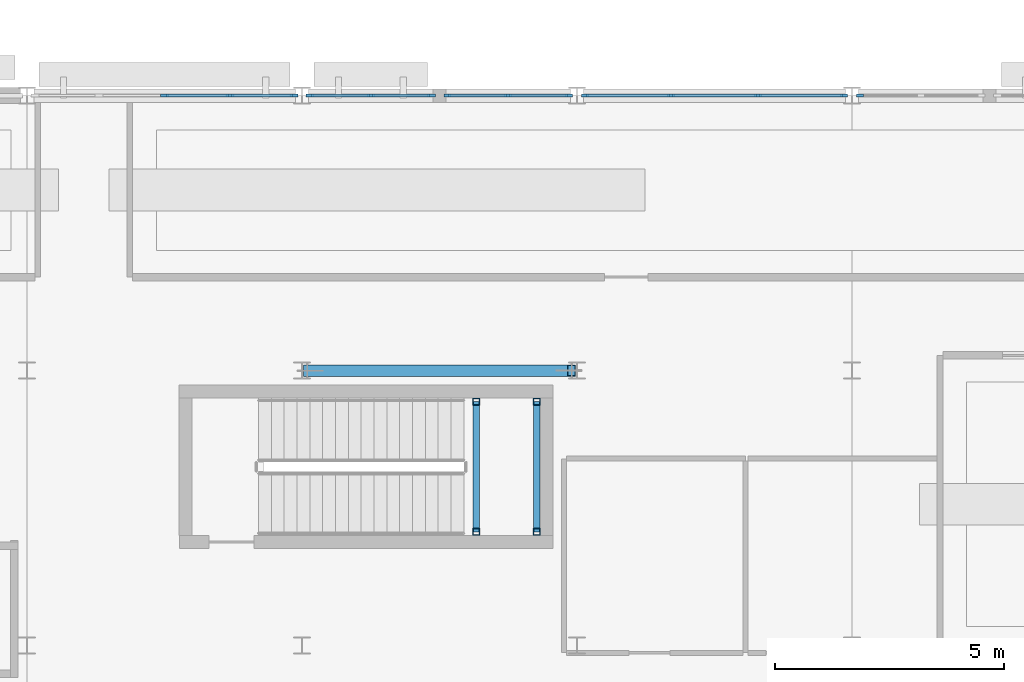
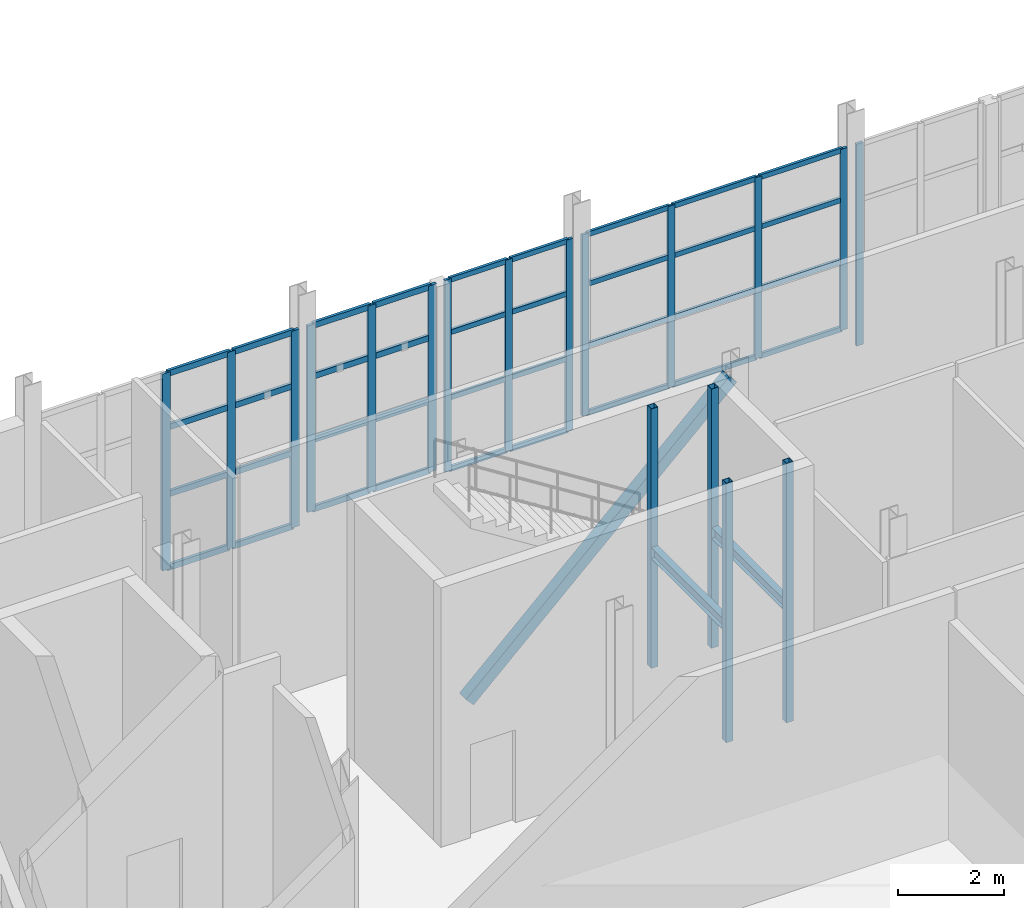
# One storey, part 64 of 120: 55 members, 2 beams, 5 elements without a shape of their own.
"""IFC4 building model written with IfcOpenShell, lengths in metres."""

from ifc_helpers import new_model, si_unit, direction, frame, origin, origin_2d, place, context, subcontext, project, spatial, rectangle, hollow_rectangle, i_section, extrude, material, material_profile, profile_set, type_object, element, aggregate, save


model = new_model("IFC4")

# Units and contexts
model_context = context("Model", 3, precision=1e-05, world=origin(), true_north=direction((0.0, 1.0)))
body_context = subcontext(model_context, "Body", "Model", "MODEL_VIEW")
ifc_project = project(units=[si_unit("LENGTHUNIT", "METRE"), si_unit("AREAUNIT", "SQUARE_METRE"), si_unit("VOLUMEUNIT", "CUBIC_METRE"), si_unit("PLANEANGLEUNIT", "RADIAN"), si_unit("MASSUNIT", "GRAM", prefix="KILO")], contexts=[model_context])

# Site, building, storey
site_placement = place(None, origin())
site = spatial("IfcSite", under=ifc_project, at=site_placement, CompositionType="ELEMENT")
building_placement = place(site_placement, origin())
building = spatial("IfcBuilding", under=site, at=building_placement, Name="Siltcreek Boulevard Central Fire Station", CompositionType="ELEMENT")
storey_placement = place(building_placement, origin())
storey = spatial("IfcBuildingStorey", under=building, at=storey_placement, Name="L01", CompositionType="ELEMENT", Elevation=0.0)

# Members
ifc_material_1 = material(Name="Structural steel ASTM A500 GrC", Category="steel")
ifc_material_profile_1 = material_profile(ifc_material_1, hollow_rectangle(XDim=0.14990234375, YDim=0.14990234375, WallThickness=0.008056640625, at=origin_2d()), Name="HSS150X150X8.0")
ifc_profile_set_1 = profile_set([ifc_material_profile_1], Name="Structural steel ASTM A500 GrC")
member_type_1 = type_object("IfcMemberType", Name="BR_HSS150_8", PredefinedType="BRACE", material=ifc_profile_set_1)
for number, where, z_axis, x_axis, name in (
    (1, (152.0, 102.679931640625, 0.0), (0.0, 0.0, 1.0), (1.0, 0.0, 0.0), "L01 ST-V5B stair landing corner post SW"),
    (2, (152.0, 105.52001953125, 0.0), (0.0, 0.0, 1.0), (1.0, 0.0, 0.0), "L01 ST-V5B stair landing corner post NW"),
    (3, (153.320068359375, 102.679931640625, 0.0), (0.0, 0.0, 1.0), (1.0, 0.0, 0.0), "L01 ST-V5B stair landing corner post SE"),
    (4, (153.320068359375, 105.52001953125, 0.0), (0.0, 0.0, 1.0), (1.0, 0.0, 0.0), "L01 ST-V5B stair landing corner post NE"),
):
    element("IfcMember", number, at=place(storey_placement, frame(where, z_axis=z_axis, x_axis=x_axis)), inside=storey, type_object=member_type_1, Name=name, PredefinedType="BRACE", context=body_context, shape_type="SweptSolid", body=[
        extrude(hollow_rectangle(XDim=0.14990234375, YDim=0.14990234375, WallThickness=0.008056640625, at=origin_2d()), origin(), (0.0, 0.0, 1.0), 6.0),
    ])
ifc_material_profile_2 = material_profile(ifc_material_1, hollow_rectangle(XDim=0.25, YDim=0.25, WallThickness=0.012451171875, at=origin_2d()), Name="HSS250X250X12.5")
ifc_profile_set_2 = profile_set([ifc_material_profile_2], Name="Structural steel ASTM A500 GrC")
member_type_2 = type_object("IfcMemberType", Name="BR_HSS250_12", PredefinedType="BRACE", material=ifc_profile_set_2)
member_1_placement = place(storey_placement, frame((148.320068359375, 106.199951171875, 0.10009765625), z_axis=(0.726386990368, 0.0, 0.687285923197), x_axis=(0.0, 1.0, 0.0)))
element("IfcMember", 5, at=member_1_placement, inside=storey, type_object=member_type_2, Name="L01 buckling-restrained brace BR-026", PredefinedType="BRACE", context=body_context, shape_type="SweptSolid", body=[
    extrude(hollow_rectangle(XDim=0.25, YDim=0.25, WallThickness=0.012451171875, at=origin_2d()), origin(), (0.0, 0.0, 1.0), 7.9296875),
])

# Curtain wall, members
ifc_material_2 = material(Name="Anodized aluminum and low-E insulated glazing", Category="aluminium")
curtain_wall_type_1 = type_object("IfcCurtainWallType", Name="CW_SYS_22", PredefinedType="USERDEFINED", material=ifc_material_2)
curtain_wall_1_placement = place(storey_placement, origin())
curtain_wall_1 = element("IfcCurtainWall", 6, at=curtain_wall_1_placement, inside=storey, type_object=curtain_wall_type_1, Name="L01 V5 unitised curtain wall CW-111", ObjectType="CURTAIN WALL", PredefinedType="USERDEFINED")
ifc_material_3 = material(Name="Anodized 6063-T6 aluminum framing", Category="aluminium")
ifc_material_profile_3 = material_profile(ifc_material_3, rectangle(XDim=0.06005859375, YDim=0.14990234375, at=origin_2d()), Name="MULL60X150")
ifc_profile_set_3 = profile_set([ifc_material_profile_3], Name="Anodized 6063-T6 aluminum framing")
member_type_3 = type_object("IfcMemberType", Name="CWM_60X150", PredefinedType="MULLION", material=ifc_profile_set_3)
member_2_placement = place(storey_placement, frame((154.02490234375, 112.199951171875, 0.679931640625), z_axis=(0.0, 0.0, 1.0), x_axis=(0.0, -1.0, 0.0)))
member_2 = element("IfcMember", 7, at=member_2_placement, type_object=member_type_3, Name="CW-111 mullion 1", PredefinedType="MULLION", context=body_context, shape_type="SweptSolid", body=[
    extrude(rectangle(XDim=0.06005859375, YDim=0.14990234375, at=origin_2d()), origin(), (0.0, 0.0, 1.0), 4.43310546875),
])
member_3_placement = place(storey_placement, frame((152.697509765625, 112.199951171875, 0.679931640625), z_axis=(0.0, 0.0, 1.0), x_axis=(0.0, -1.0, 0.0)))
member_3 = element("IfcMember", 8, at=member_3_placement, type_object=member_type_3, Name="CW-111 mullion 2", PredefinedType="MULLION", context=body_context, shape_type="SweptSolid", body=[
    extrude(rectangle(XDim=0.06005859375, YDim=0.14990234375, at=origin_2d()), origin(), (0.0, 0.0, 1.0), 4.43310546875),
])
member_4_placement = place(storey_placement, frame((151.3701171875, 112.199951171875, 0.679931640625), z_axis=(0.0, 0.0, 1.0), x_axis=(0.0, -1.0, 0.0)))
member_4 = element("IfcMember", 9, at=member_4_placement, type_object=member_type_3, Name="CW-111 mullion 3", PredefinedType="MULLION", context=body_context, shape_type="SweptSolid", body=[
    extrude(rectangle(XDim=0.06005859375, YDim=0.14990234375, at=origin_2d()), origin(), (0.0, 0.0, 1.0), 4.43310546875),
])

curtain_wall_type_2 = type_object("IfcCurtainWallType", Name="CW_SYS_24", PredefinedType="USERDEFINED", material=ifc_material_2)
curtain_wall_2_placement = place(storey_placement, origin())
curtain_wall_2 = element("IfcCurtainWall", 10, at=curtain_wall_2_placement, inside=storey, type_object=curtain_wall_type_2, Name="L01 V5 unitised curtain wall CW-113", ObjectType="CURTAIN WALL", PredefinedType="USERDEFINED")
member_5_placement = place(storey_placement, frame((160.02490234375, 112.199951171875, 0.919921875), z_axis=(0.0, 0.0, 1.0), x_axis=(0.0, -1.0, 0.0)))
member_5 = element("IfcMember", 11, at=member_5_placement, type_object=member_type_3, Name="CW-113 mullion 1", PredefinedType="MULLION", context=body_context, shape_type="SweptSolid", body=[
    extrude(rectangle(XDim=0.06005859375, YDim=0.14990234375, at=origin_2d()), origin(), (0.0, 0.0, 1.0), 4.193115234375),
])
member_6_placement = place(storey_placement, frame((158.151611328125, 112.199951171875, 0.919921875), z_axis=(0.0, 0.0, 1.0), x_axis=(0.0, -1.0, 0.0)))
member_6 = element("IfcMember", 12, at=member_6_placement, type_object=member_type_3, Name="CW-113 mullion 2", PredefinedType="MULLION", context=body_context, shape_type="SweptSolid", body=[
    extrude(rectangle(XDim=0.06005859375, YDim=0.14990234375, at=origin_2d()), origin(), (0.0, 0.0, 1.0), 4.193115234375),
])
member_7_placement = place(storey_placement, frame((156.248291015625, 112.199951171875, 0.919921875), z_axis=(0.0, 0.0, 1.0), x_axis=(0.0, -1.0, 0.0)))
member_7 = element("IfcMember", 13, at=member_7_placement, type_object=member_type_3, Name="CW-113 mullion 3", PredefinedType="MULLION", context=body_context, shape_type="SweptSolid", body=[
    extrude(rectangle(XDim=0.06005859375, YDim=0.14990234375, at=origin_2d()), origin(), (0.0, 0.0, 1.0), 4.193115234375),
])
member_8_placement = place(storey_placement, frame((154.375, 112.199951171875, 0.919921875), z_axis=(0.0, 0.0, 1.0), x_axis=(0.0, -1.0, 0.0)))
member_8 = element("IfcMember", 14, at=member_8_placement, type_object=member_type_3, Name="CW-113 mullion 4", PredefinedType="MULLION", context=body_context, shape_type="SweptSolid", body=[
    extrude(rectangle(XDim=0.06005859375, YDim=0.14990234375, at=origin_2d()), origin(), (0.0, 0.0, 1.0), 4.193115234375),
])

# Curtain wall, member
curtain_wall_type_3 = type_object("IfcCurtainWallType", Name="CW_SYS_26", PredefinedType="USERDEFINED", material=ifc_material_2)
curtain_wall_3_placement = place(storey_placement, origin())
curtain_wall_3 = element("IfcCurtainWall", 15, at=curtain_wall_3_placement, inside=storey, type_object=curtain_wall_type_3, Name="L01 V5 unitised curtain wall CW-115", ObjectType="CURTAIN WALL", PredefinedType="USERDEFINED")
member_9_placement = place(storey_placement, frame((160.375, 112.199951171875, 0.43994140625), z_axis=(0.0, 0.0, 1.0), x_axis=(0.0, -1.0, 0.0)))
member_9 = element("IfcMember", 16, at=member_9_placement, type_object=member_type_3, Name="CW-115 mullion 3", PredefinedType="MULLION", context=body_context, shape_type="SweptSolid", body=[
    extrude(rectangle(XDim=0.06005859375, YDim=0.14990234375, at=origin_2d()), origin(), (0.0, 0.0, 1.0), 4.673095703125),
])
aggregate(curtain_wall_3, [member_9])

# Curtain wall, members
curtain_wall_type_4 = type_object("IfcCurtainWallType", Name="CW_SYS_21", PredefinedType="USERDEFINED", material=ifc_material_2)
curtain_wall_4_placement = place(storey_placement, origin())
curtain_wall_4 = element("IfcCurtainWall", 17, at=curtain_wall_4_placement, inside=storey, type_object=curtain_wall_type_4, Name="L01 V5 unitised curtain wall CW-110", ObjectType="CURTAIN WALL", PredefinedType="USERDEFINED")
ifc_material_profile_4 = material_profile(ifc_material_3, rectangle(XDim=0.06494140625, YDim=0.175048828125, at=origin_2d()), Name="MULL65X175")
ifc_profile_set_4 = profile_set([ifc_material_profile_4], Name="Anodized 6063-T6 aluminum framing")
member_type_4 = type_object("IfcMemberType", Name="CWM_65X175", PredefinedType="MULLION", material=ifc_profile_set_4)
member_10_placement = place(storey_placement, frame((148.0224609375, 112.199951171875, 0.56005859375), z_axis=(0.0, 0.0, 1.0), x_axis=(0.0, -1.0, 0.0)))
member_10 = element("IfcMember", 18, at=member_10_placement, type_object=member_type_4, Name="CW-110 mullion 1", PredefinedType="MULLION", context=body_context, shape_type="SweptSolid", body=[
    extrude(rectangle(XDim=0.06494140625, YDim=0.175048828125, at=origin_2d()), origin(), (0.0, 0.0, 1.0), 4.552978515625),
])
member_11_placement = place(storey_placement, frame((146.62744140625, 112.199951171875, 0.56005859375), z_axis=(0.0, 0.0, 1.0), x_axis=(0.0, -1.0, 0.0)))
member_11 = element("IfcMember", 19, at=member_11_placement, type_object=member_type_4, Name="CW-110 mullion 2", PredefinedType="MULLION", context=body_context, shape_type="SweptSolid", body=[
    extrude(rectangle(XDim=0.06494140625, YDim=0.175048828125, at=origin_2d()), origin(), (0.0, 0.0, 1.0), 4.552978515625),
])
member_12_placement = place(storey_placement, frame((145.199951171875, 112.199951171875, 0.56005859375), z_axis=(0.0, 0.0, 1.0), x_axis=(0.0, -1.0, 0.0)))
member_12 = element("IfcMember", 20, at=member_12_placement, type_object=member_type_4, Name="CW-110 mullion 3", PredefinedType="MULLION", context=body_context, shape_type="SweptSolid", body=[
    extrude(rectangle(XDim=0.06494140625, YDim=0.175048828125, at=origin_2d()), origin(), (0.0, 0.0, 1.0), 4.552978515625),
])

curtain_wall_type_5 = type_object("IfcCurtainWallType", Name="CW_SYS_23", PredefinedType="USERDEFINED", material=ifc_material_2)
curtain_wall_5_placement = place(storey_placement, origin())
curtain_wall_5 = element("IfcCurtainWall", 21, at=curtain_wall_5_placement, inside=storey, type_object=curtain_wall_type_5, Name="L01 V5 unitised curtain wall CW-112", ObjectType="CURTAIN WALL", PredefinedType="USERDEFINED")
member_13_placement = place(storey_placement, frame((151.027587890625, 112.199951171875, 0.800048828125), z_axis=(0.0, 0.0, 1.0), x_axis=(0.0, -1.0, 0.0)))
member_13 = element("IfcMember", 22, at=member_13_placement, type_object=member_type_4, Name="CW-112 mullion 1", PredefinedType="MULLION", context=body_context, shape_type="SweptSolid", body=[
    extrude(rectangle(XDim=0.06494140625, YDim=0.175048828125, at=origin_2d()), origin(), (0.0, 0.0, 1.0), 4.31298828125),
])
member_14_placement = place(storey_placement, frame((149.702392578125, 112.199951171875, 0.800048828125), z_axis=(0.0, 0.0, 1.0), x_axis=(0.0, -1.0, 0.0)))
member_14 = element("IfcMember", 23, at=member_14_placement, type_object=member_type_4, Name="CW-112 mullion 2", PredefinedType="MULLION", context=body_context, shape_type="SweptSolid", body=[
    extrude(rectangle(XDim=0.06494140625, YDim=0.175048828125, at=origin_2d()), origin(), (0.0, 0.0, 1.0), 4.31298828125),
])
member_15_placement = place(storey_placement, frame((148.37744140625, 112.199951171875, 0.800048828125), z_axis=(0.0, 0.0, 1.0), x_axis=(0.0, -1.0, 0.0)))
member_15 = element("IfcMember", 24, at=member_15_placement, type_object=member_type_4, Name="CW-112 mullion 3", PredefinedType="MULLION", context=body_context, shape_type="SweptSolid", body=[
    extrude(rectangle(XDim=0.06494140625, YDim=0.175048828125, at=origin_2d()), origin(), (0.0, 0.0, 1.0), 4.31298828125),
])

# Member
ifc_material_profile_5 = material_profile(ifc_material_3, rectangle(XDim=0.06005859375, YDim=0.114990234375, at=origin_2d()), Name="TRAN60X115")
ifc_profile_set_5 = profile_set([ifc_material_profile_5], Name="Anodized 6063-T6 aluminum framing")
member_type_5 = type_object("IfcMemberType", Name="CWT_60X115", PredefinedType="USERDEFINED", material=ifc_profile_set_5)
member_16_placement = place(storey_placement, frame((153.9951171875, 112.199951171875, 0.7099609375), z_axis=(-1.0, 0.0, 0.0), x_axis=(0.0, -1.0, 0.0)))
member_16 = element("IfcMember", 25, at=member_16_placement, type_object=member_type_5, Name="CW-111 transom 1.1", ObjectType="TRANSOM", PredefinedType="USERDEFINED", context=body_context, shape_type="SweptSolid", body=[
    extrude(rectangle(XDim=0.06005859375, YDim=0.114990234375, at=origin_2d()), origin(), (0.0, 0.0, 1.0), 1.267578125),
])

member_17_placement = place(storey_placement, frame((153.9951171875, 112.199951171875, 2.364501953125), z_axis=(-1.0, 0.0, 0.0), x_axis=(0.0, -1.0, 0.0)))
member_17 = element("IfcMember", 26, at=member_17_placement, type_object=member_type_5, Name="CW-111 transom 1.2", ObjectType="TRANSOM", PredefinedType="USERDEFINED", context=body_context, shape_type="SweptSolid", body=[
    extrude(rectangle(XDim=0.06005859375, YDim=0.114990234375, at=origin_2d()), origin(), (0.0, 0.0, 1.0), 1.267578125),
])

member_18_placement = place(storey_placement, frame((153.9951171875, 112.199951171875, 3.871826171875), z_axis=(-1.0, 0.0, 0.0), x_axis=(0.0, -1.0, 0.0)))
member_18 = element("IfcMember", 27, at=member_18_placement, type_object=member_type_5, Name="CW-111 transom 1.3", ObjectType="TRANSOM", PredefinedType="USERDEFINED", context=body_context, shape_type="SweptSolid", body=[
    extrude(rectangle(XDim=0.06005859375, YDim=0.114990234375, at=origin_2d()), origin(), (0.0, 0.0, 1.0), 1.267578125),
])

member_19_placement = place(storey_placement, frame((153.9951171875, 112.199951171875, 5.0830078125), z_axis=(-1.0, 0.0, 0.0), x_axis=(0.0, -1.0, 0.0)))
member_19 = element("IfcMember", 28, at=member_19_placement, type_object=member_type_5, Name="CW-111 transom 1.4", ObjectType="TRANSOM", PredefinedType="USERDEFINED", context=body_context, shape_type="SweptSolid", body=[
    extrude(rectangle(XDim=0.06005859375, YDim=0.114990234375, at=origin_2d()), origin(), (0.0, 0.0, 1.0), 1.267578125),
])

member_20_placement = place(storey_placement, frame((152.66748046875, 112.199951171875, 0.7099609375), z_axis=(-1.0, 0.0, 0.0), x_axis=(0.0, -1.0, 0.0)))
member_20 = element("IfcMember", 29, at=member_20_placement, type_object=member_type_5, Name="CW-111 transom 2.1", ObjectType="TRANSOM", PredefinedType="USERDEFINED", context=body_context, shape_type="SweptSolid", body=[
    extrude(rectangle(XDim=0.06005859375, YDim=0.114990234375, at=origin_2d()), origin(), (0.0, 0.0, 1.0), 1.267578125),
])

member_21_placement = place(storey_placement, frame((152.66748046875, 112.199951171875, 2.364501953125), z_axis=(-1.0, 0.0, 0.0), x_axis=(0.0, -1.0, 0.0)))
member_21 = element("IfcMember", 30, at=member_21_placement, type_object=member_type_5, Name="CW-111 transom 2.2", ObjectType="TRANSOM", PredefinedType="USERDEFINED", context=body_context, shape_type="SweptSolid", body=[
    extrude(rectangle(XDim=0.06005859375, YDim=0.114990234375, at=origin_2d()), origin(), (0.0, 0.0, 1.0), 1.267578125),
])

member_22_placement = place(storey_placement, frame((152.66748046875, 112.199951171875, 3.871826171875), z_axis=(-1.0, 0.0, 0.0), x_axis=(0.0, -1.0, 0.0)))
member_22 = element("IfcMember", 31, at=member_22_placement, type_object=member_type_5, Name="CW-111 transom 2.3", ObjectType="TRANSOM", PredefinedType="USERDEFINED", context=body_context, shape_type="SweptSolid", body=[
    extrude(rectangle(XDim=0.06005859375, YDim=0.114990234375, at=origin_2d()), origin(), (0.0, 0.0, 1.0), 1.267578125),
])

member_23_placement = place(storey_placement, frame((152.66748046875, 112.199951171875, 5.0830078125), z_axis=(-1.0, 0.0, 0.0), x_axis=(0.0, -1.0, 0.0)))
member_23 = element("IfcMember", 32, at=member_23_placement, type_object=member_type_5, Name="CW-111 transom 2.4", ObjectType="TRANSOM", PredefinedType="USERDEFINED", context=body_context, shape_type="SweptSolid", body=[
    extrude(rectangle(XDim=0.06005859375, YDim=0.114990234375, at=origin_2d()), origin(), (0.0, 0.0, 1.0), 1.267578125),
])

aggregate(curtain_wall_1, [member_2, member_3, member_4, member_16, member_17, member_18, member_19, member_20, member_21, member_22, member_23])

member_24_placement = place(storey_placement, frame((159.9951171875, 112.199951171875, 0.949951171875), z_axis=(-1.0, 0.0, 0.0), x_axis=(0.0, -1.0, 0.0)))
member_24 = element("IfcMember", 33, at=member_24_placement, type_object=member_type_5, Name="CW-113 transom 1.1", ObjectType="TRANSOM", PredefinedType="USERDEFINED", context=body_context, shape_type="SweptSolid", body=[
    extrude(rectangle(XDim=0.06005859375, YDim=0.114990234375, at=origin_2d()), origin(), (0.0, 0.0, 1.0), 1.8134765625),
])

member_25_placement = place(storey_placement, frame((159.9951171875, 112.199951171875, 2.51318359375), z_axis=(-1.0, 0.0, 0.0), x_axis=(0.0, -1.0, 0.0)))
member_25 = element("IfcMember", 34, at=member_25_placement, type_object=member_type_5, Name="CW-113 transom 1.2", ObjectType="TRANSOM", PredefinedType="USERDEFINED", context=body_context, shape_type="SweptSolid", body=[
    extrude(rectangle(XDim=0.06005859375, YDim=0.114990234375, at=origin_2d()), origin(), (0.0, 0.0, 1.0), 1.8134765625),
])

member_26_placement = place(storey_placement, frame((159.9951171875, 112.199951171875, 3.93896484375), z_axis=(-1.0, 0.0, 0.0), x_axis=(0.0, -1.0, 0.0)))
member_26 = element("IfcMember", 35, at=member_26_placement, type_object=member_type_5, Name="CW-113 transom 1.3", ObjectType="TRANSOM", PredefinedType="USERDEFINED", context=body_context, shape_type="SweptSolid", body=[
    extrude(rectangle(XDim=0.06005859375, YDim=0.114990234375, at=origin_2d()), origin(), (0.0, 0.0, 1.0), 1.8134765625),
])

member_27_placement = place(storey_placement, frame((159.9951171875, 112.199951171875, 5.0830078125), z_axis=(-1.0, 0.0, 0.0), x_axis=(0.0, -1.0, 0.0)))
member_27 = element("IfcMember", 36, at=member_27_placement, type_object=member_type_5, Name="CW-113 transom 1.4", ObjectType="TRANSOM", PredefinedType="USERDEFINED", context=body_context, shape_type="SweptSolid", body=[
    extrude(rectangle(XDim=0.06005859375, YDim=0.114990234375, at=origin_2d()), origin(), (0.0, 0.0, 1.0), 1.8134765625),
])

member_28_placement = place(storey_placement, frame((158.12158203125, 112.199951171875, 0.949951171875), z_axis=(-1.0, 0.0, 0.0), x_axis=(0.0, -1.0, 0.0)))
member_28 = element("IfcMember", 37, at=member_28_placement, type_object=member_type_5, Name="CW-113 transom 2.1", ObjectType="TRANSOM", PredefinedType="USERDEFINED", context=body_context, shape_type="SweptSolid", body=[
    extrude(rectangle(XDim=0.06005859375, YDim=0.114990234375, at=origin_2d()), origin(), (0.0, 0.0, 1.0), 1.84326171875),
])

member_29_placement = place(storey_placement, frame((158.12158203125, 112.199951171875, 2.51318359375), z_axis=(-1.0, 0.0, 0.0), x_axis=(0.0, -1.0, 0.0)))
member_29 = element("IfcMember", 38, at=member_29_placement, type_object=member_type_5, Name="CW-113 transom 2.2", ObjectType="TRANSOM", PredefinedType="USERDEFINED", context=body_context, shape_type="SweptSolid", body=[
    extrude(rectangle(XDim=0.06005859375, YDim=0.114990234375, at=origin_2d()), origin(), (0.0, 0.0, 1.0), 1.84326171875),
])

member_30_placement = place(storey_placement, frame((158.12158203125, 112.199951171875, 3.93896484375), z_axis=(-1.0, 0.0, 0.0), x_axis=(0.0, -1.0, 0.0)))
member_30 = element("IfcMember", 39, at=member_30_placement, type_object=member_type_5, Name="CW-113 transom 2.3", ObjectType="TRANSOM", PredefinedType="USERDEFINED", context=body_context, shape_type="SweptSolid", body=[
    extrude(rectangle(XDim=0.06005859375, YDim=0.114990234375, at=origin_2d()), origin(), (0.0, 0.0, 1.0), 1.84326171875),
])

member_31_placement = place(storey_placement, frame((158.12158203125, 112.199951171875, 5.0830078125), z_axis=(-1.0, 0.0, 0.0), x_axis=(0.0, -1.0, 0.0)))
member_31 = element("IfcMember", 40, at=member_31_placement, type_object=member_type_5, Name="CW-113 transom 2.4", ObjectType="TRANSOM", PredefinedType="USERDEFINED", context=body_context, shape_type="SweptSolid", body=[
    extrude(rectangle(XDim=0.06005859375, YDim=0.114990234375, at=origin_2d()), origin(), (0.0, 0.0, 1.0), 1.84326171875),
])

member_32_placement = place(storey_placement, frame((156.21826171875, 112.199951171875, 0.949951171875), z_axis=(-1.0, 0.0, 0.0), x_axis=(0.0, -1.0, 0.0)))
member_32 = element("IfcMember", 41, at=member_32_placement, type_object=member_type_5, Name="CW-113 transom 3.1", ObjectType="TRANSOM", PredefinedType="USERDEFINED", context=body_context, shape_type="SweptSolid", body=[
    extrude(rectangle(XDim=0.06005859375, YDim=0.114990234375, at=origin_2d()), origin(), (0.0, 0.0, 1.0), 1.813232421875),
])

member_33_placement = place(storey_placement, frame((156.21826171875, 112.199951171875, 2.51318359375), z_axis=(-1.0, 0.0, 0.0), x_axis=(0.0, -1.0, 0.0)))
member_33 = element("IfcMember", 42, at=member_33_placement, type_object=member_type_5, Name="CW-113 transom 3.2", ObjectType="TRANSOM", PredefinedType="USERDEFINED", context=body_context, shape_type="SweptSolid", body=[
    extrude(rectangle(XDim=0.06005859375, YDim=0.114990234375, at=origin_2d()), origin(), (0.0, 0.0, 1.0), 1.813232421875),
])

member_34_placement = place(storey_placement, frame((156.21826171875, 112.199951171875, 3.93896484375), z_axis=(-1.0, 0.0, 0.0), x_axis=(0.0, -1.0, 0.0)))
member_34 = element("IfcMember", 43, at=member_34_placement, type_object=member_type_5, Name="CW-113 transom 3.3", ObjectType="TRANSOM", PredefinedType="USERDEFINED", context=body_context, shape_type="SweptSolid", body=[
    extrude(rectangle(XDim=0.06005859375, YDim=0.114990234375, at=origin_2d()), origin(), (0.0, 0.0, 1.0), 1.813232421875),
])

member_35_placement = place(storey_placement, frame((156.21826171875, 112.199951171875, 5.0830078125), z_axis=(-1.0, 0.0, 0.0), x_axis=(0.0, -1.0, 0.0)))
member_35 = element("IfcMember", 44, at=member_35_placement, type_object=member_type_5, Name="CW-113 transom 3.4", ObjectType="TRANSOM", PredefinedType="USERDEFINED", context=body_context, shape_type="SweptSolid", body=[
    extrude(rectangle(XDim=0.06005859375, YDim=0.114990234375, at=origin_2d()), origin(), (0.0, 0.0, 1.0), 1.813232421875),
])

aggregate(curtain_wall_2, [member_5, member_6, member_7, member_8, member_24, member_25, member_26, member_27, member_28, member_29, member_30, member_31, member_32, member_33, member_34, member_35])

ifc_material_profile_6 = material_profile(ifc_material_3, rectangle(XDim=0.06494140625, YDim=0.135009765625, at=origin_2d()), Name="TRAN65X135")
ifc_profile_set_6 = profile_set([ifc_material_profile_6], Name="Anodized 6063-T6 aluminum framing")
member_type_6 = type_object("IfcMemberType", Name="CWT_65X135", PredefinedType="USERDEFINED", material=ifc_profile_set_6)
member_36_placement = place(storey_placement, frame((147.989990234375, 112.199951171875, 0.592529296875), z_axis=(-1.0, 0.0, 0.0), x_axis=(0.0, -1.0, 0.0)))
member_36 = element("IfcMember", 45, at=member_36_placement, type_object=member_type_6, Name="CW-110 transom 1.1", ObjectType="TRANSOM", PredefinedType="USERDEFINED", context=body_context, shape_type="SweptSolid", body=[
    extrude(rectangle(XDim=0.06494140625, YDim=0.135009765625, at=origin_2d()), origin(), (0.0, 0.0, 1.0), 1.330078125),
])

member_37_placement = place(storey_placement, frame((147.989990234375, 112.199951171875, 2.2900390625), z_axis=(-1.0, 0.0, 0.0), x_axis=(0.0, -1.0, 0.0)))
member_37 = element("IfcMember", 46, at=member_37_placement, type_object=member_type_6, Name="CW-110 transom 1.2", ObjectType="TRANSOM", PredefinedType="USERDEFINED", context=body_context, shape_type="SweptSolid", body=[
    extrude(rectangle(XDim=0.06494140625, YDim=0.135009765625, at=origin_2d()), origin(), (0.0, 0.0, 1.0), 1.330078125),
])

member_38_placement = place(storey_placement, frame((147.989990234375, 112.199951171875, 3.838134765625), z_axis=(-1.0, 0.0, 0.0), x_axis=(0.0, -1.0, 0.0)))
member_38 = element("IfcMember", 47, at=member_38_placement, type_object=member_type_6, Name="CW-110 transom 1.3", ObjectType="TRANSOM", PredefinedType="USERDEFINED", context=body_context, shape_type="SweptSolid", body=[
    extrude(rectangle(XDim=0.06494140625, YDim=0.135009765625, at=origin_2d()), origin(), (0.0, 0.0, 1.0), 1.330078125),
])

member_39_placement = place(storey_placement, frame((147.989990234375, 112.199951171875, 5.08056640625), z_axis=(-1.0, 0.0, 0.0), x_axis=(0.0, -1.0, 0.0)))
member_39 = element("IfcMember", 48, at=member_39_placement, type_object=member_type_6, Name="CW-110 transom 1.4", ObjectType="TRANSOM", PredefinedType="USERDEFINED", context=body_context, shape_type="SweptSolid", body=[
    extrude(rectangle(XDim=0.06494140625, YDim=0.135009765625, at=origin_2d()), origin(), (0.0, 0.0, 1.0), 1.330078125),
])

member_40_placement = place(storey_placement, frame((146.594970703125, 112.199951171875, 0.592529296875), z_axis=(-1.0, 0.0, 0.0), x_axis=(0.0, -1.0, 0.0)))
member_40 = element("IfcMember", 49, at=member_40_placement, type_object=member_type_6, Name="CW-110 transom 2.1", ObjectType="TRANSOM", PredefinedType="USERDEFINED", context=body_context, shape_type="SweptSolid", body=[
    extrude(rectangle(XDim=0.06494140625, YDim=0.135009765625, at=origin_2d()), origin(), (0.0, 0.0, 1.0), 1.362548828125),
])

member_41_placement = place(storey_placement, frame((146.594970703125, 112.199951171875, 2.2900390625), z_axis=(-1.0, 0.0, 0.0), x_axis=(0.0, -1.0, 0.0)))
member_41 = element("IfcMember", 50, at=member_41_placement, type_object=member_type_6, Name="CW-110 transom 2.2", ObjectType="TRANSOM", PredefinedType="USERDEFINED", context=body_context, shape_type="SweptSolid", body=[
    extrude(rectangle(XDim=0.06494140625, YDim=0.135009765625, at=origin_2d()), origin(), (0.0, 0.0, 1.0), 1.362548828125),
])

member_42_placement = place(storey_placement, frame((146.594970703125, 112.199951171875, 3.838134765625), z_axis=(-1.0, 0.0, 0.0), x_axis=(0.0, -1.0, 0.0)))
member_42 = element("IfcMember", 51, at=member_42_placement, type_object=member_type_6, Name="CW-110 transom 2.3", ObjectType="TRANSOM", PredefinedType="USERDEFINED", context=body_context, shape_type="SweptSolid", body=[
    extrude(rectangle(XDim=0.06494140625, YDim=0.135009765625, at=origin_2d()), origin(), (0.0, 0.0, 1.0), 1.362548828125),
])

member_43_placement = place(storey_placement, frame((146.594970703125, 112.199951171875, 5.08056640625), z_axis=(-1.0, 0.0, 0.0), x_axis=(0.0, -1.0, 0.0)))
member_43 = element("IfcMember", 52, at=member_43_placement, type_object=member_type_6, Name="CW-110 transom 2.4", ObjectType="TRANSOM", PredefinedType="USERDEFINED", context=body_context, shape_type="SweptSolid", body=[
    extrude(rectangle(XDim=0.06494140625, YDim=0.135009765625, at=origin_2d()), origin(), (0.0, 0.0, 1.0), 1.362548828125),
])

aggregate(curtain_wall_4, [member_10, member_11, member_12, member_36, member_37, member_38, member_39, member_40, member_41, member_42, member_43])

member_44_placement = place(storey_placement, frame((150.9951171875, 112.199951171875, 0.83251953125), z_axis=(-1.0, 0.0, 0.0), x_axis=(0.0, -1.0, 0.0)))
member_44 = element("IfcMember", 53, at=member_44_placement, type_object=member_type_6, Name="CW-112 transom 1.1", ObjectType="TRANSOM", PredefinedType="USERDEFINED", context=body_context, shape_type="SweptSolid", body=[
    extrude(rectangle(XDim=0.06494140625, YDim=0.135009765625, at=origin_2d()), origin(), (0.0, 0.0, 1.0), 1.260009765625),
])

member_45_placement = place(storey_placement, frame((150.9951171875, 112.199951171875, 2.43896484375), z_axis=(-1.0, 0.0, 0.0), x_axis=(0.0, -1.0, 0.0)))
member_45 = element("IfcMember", 54, at=member_45_placement, type_object=member_type_6, Name="CW-112 transom 1.2", ObjectType="TRANSOM", PredefinedType="USERDEFINED", context=body_context, shape_type="SweptSolid", body=[
    extrude(rectangle(XDim=0.06494140625, YDim=0.135009765625, at=origin_2d()), origin(), (0.0, 0.0, 1.0), 1.260009765625),
])

member_46_placement = place(storey_placement, frame((150.9951171875, 112.199951171875, 3.905517578125), z_axis=(-1.0, 0.0, 0.0), x_axis=(0.0, -1.0, 0.0)))
member_46 = element("IfcMember", 55, at=member_46_placement, type_object=member_type_6, Name="CW-112 transom 1.3", ObjectType="TRANSOM", PredefinedType="USERDEFINED", context=body_context, shape_type="SweptSolid", body=[
    extrude(rectangle(XDim=0.06494140625, YDim=0.135009765625, at=origin_2d()), origin(), (0.0, 0.0, 1.0), 1.260009765625),
])

member_47_placement = place(storey_placement, frame((150.9951171875, 112.199951171875, 5.08056640625), z_axis=(-1.0, 0.0, 0.0), x_axis=(0.0, -1.0, 0.0)))
member_47 = element("IfcMember", 56, at=member_47_placement, type_object=member_type_6, Name="CW-112 transom 1.4", ObjectType="TRANSOM", PredefinedType="USERDEFINED", context=body_context, shape_type="SweptSolid", body=[
    extrude(rectangle(XDim=0.06494140625, YDim=0.135009765625, at=origin_2d()), origin(), (0.0, 0.0, 1.0), 1.260009765625),
])

member_48_placement = place(storey_placement, frame((149.669921875, 112.199951171875, 0.83251953125), z_axis=(-1.0, 0.0, 0.0), x_axis=(0.0, -1.0, 0.0)))
member_48 = element("IfcMember", 57, at=member_48_placement, type_object=member_type_6, Name="CW-112 transom 2.1", ObjectType="TRANSOM", PredefinedType="USERDEFINED", context=body_context, shape_type="SweptSolid", body=[
    extrude(rectangle(XDim=0.06494140625, YDim=0.135009765625, at=origin_2d()), origin(), (0.0, 0.0, 1.0), 1.260009765625),
])

member_49_placement = place(storey_placement, frame((149.669921875, 112.199951171875, 2.43896484375), z_axis=(-1.0, 0.0, 0.0), x_axis=(0.0, -1.0, 0.0)))
member_49 = element("IfcMember", 58, at=member_49_placement, type_object=member_type_6, Name="CW-112 transom 2.2", ObjectType="TRANSOM", PredefinedType="USERDEFINED", context=body_context, shape_type="SweptSolid", body=[
    extrude(rectangle(XDim=0.06494140625, YDim=0.135009765625, at=origin_2d()), origin(), (0.0, 0.0, 1.0), 1.260009765625),
])

member_50_placement = place(storey_placement, frame((149.669921875, 112.199951171875, 3.905517578125), z_axis=(-1.0, 0.0, 0.0), x_axis=(0.0, -1.0, 0.0)))
member_50 = element("IfcMember", 59, at=member_50_placement, type_object=member_type_6, Name="CW-112 transom 2.3", ObjectType="TRANSOM", PredefinedType="USERDEFINED", context=body_context, shape_type="SweptSolid", body=[
    extrude(rectangle(XDim=0.06494140625, YDim=0.135009765625, at=origin_2d()), origin(), (0.0, 0.0, 1.0), 1.260009765625),
])

member_51_placement = place(storey_placement, frame((149.669921875, 112.199951171875, 5.08056640625), z_axis=(-1.0, 0.0, 0.0), x_axis=(0.0, -1.0, 0.0)))
member_51 = element("IfcMember", 60, at=member_51_placement, type_object=member_type_6, Name="CW-112 transom 2.4", ObjectType="TRANSOM", PredefinedType="USERDEFINED", context=body_context, shape_type="SweptSolid", body=[
    extrude(rectangle(XDim=0.06494140625, YDim=0.135009765625, at=origin_2d()), origin(), (0.0, 0.0, 1.0), 1.260009765625),
])

aggregate(curtain_wall_5, [member_13, member_14, member_15, member_44, member_45, member_46, member_47, member_48, member_49, member_50, member_51])

# Beams
ifc_material_4 = material(Name="Structural steel ASTM A992 Gr50", Category="steel")
ifc_material_profile_7 = material_profile(ifc_material_4, i_section(OverallWidth=0.14697265625, OverallDepth=0.261962890625, WebThickness=0.006591796875, FlangeThickness=0.01123046875, at=origin_2d()), Name="W250X39")
ifc_profile_set_7 = profile_set([ifc_material_profile_7], Name="Structural steel ASTM A992 Gr50")
beam_type = type_object("IfcBeamType", Name="JST_W250X39", PredefinedType="JOIST", material=ifc_profile_set_7)
for number, where, z_axis, x_axis, name in (
    (61, (152.0, 102.679931640625, 2.6689453125), (0.0, 1.0, 0.0), (-1.0, 0.0, 0.0), "L01 ST-V5B stair landing bearer MIDW"),
    (62, (153.320068359375, 102.679931640625, 2.6689453125), (0.0, 1.0, 0.0), (-1.0, 0.0, 0.0), "L01 ST-V5B stair landing bearer MIDE"),
):
    element("IfcBeam", number, at=place(storey_placement, frame(where, z_axis=z_axis, x_axis=x_axis)), inside=storey, type_object=beam_type, Name=name, PredefinedType="JOIST", context=body_context, shape_type="SweptSolid", body=[
        extrude(i_section(OverallWidth=0.14697265625, OverallDepth=0.261962890625, WebThickness=0.006591796875, FlangeThickness=0.01123046875, at=origin_2d()), origin(), (0.0, 0.0, 1.0), 2.840087890625),
    ])

save(model, "model.ifc")
